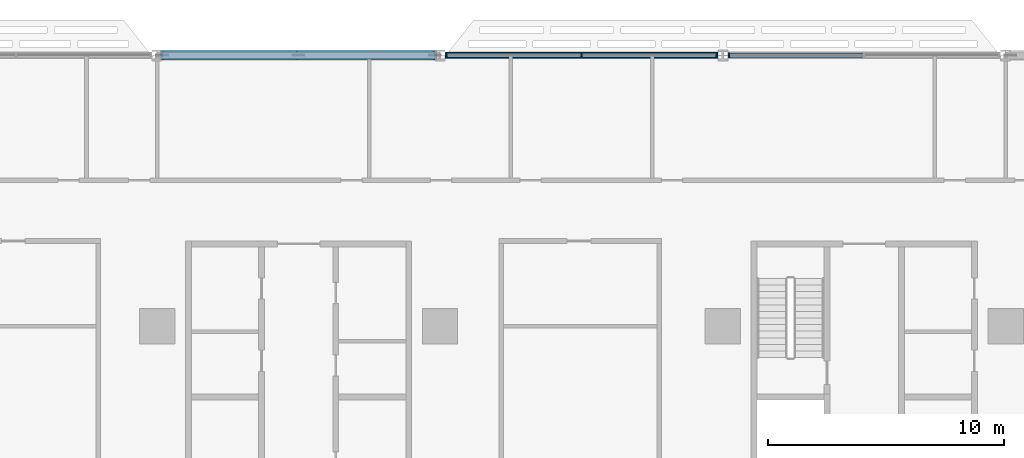
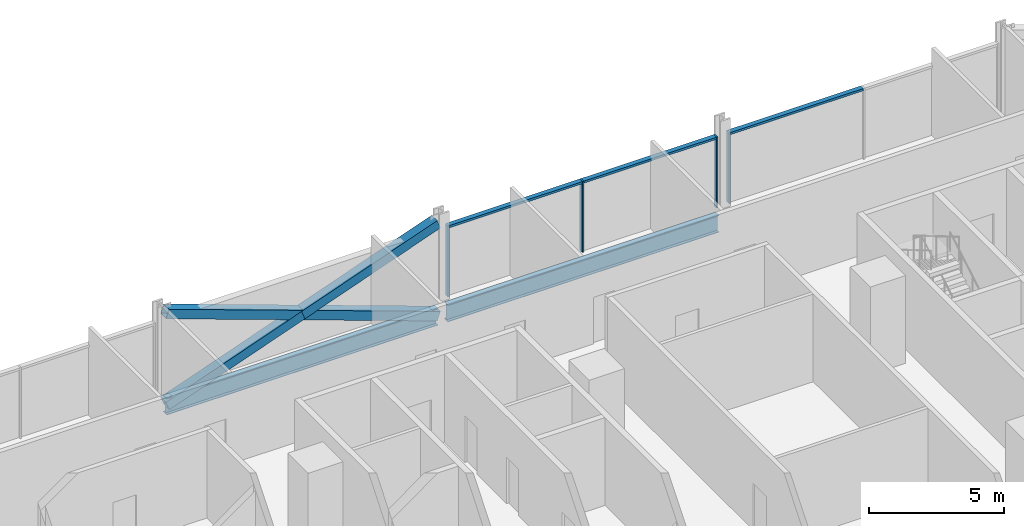
# One storey, part 7 of 29: 10 members, 2 beams, 2 elements without a shape of their own.
"""IFC4 building model written with IfcOpenShell, lengths in metres."""

from ifc_helpers import new_model, si_unit, direction, frame, origin, origin_2d, place, context, subcontext, project, spatial, rectangle, hollow_rectangle, i_section, extrude, material, material_profile, profile_set, type_object, element, aggregate, save


model = new_model("IFC4")

# Units and contexts
model_context = context("Model", 3, precision=1e-05, world=origin(), true_north=direction((0.0, 1.0)))
body_context = subcontext(model_context, "Body", "Model", "MODEL_VIEW")
ifc_project = project(units=[si_unit("LENGTHUNIT", "METRE"), si_unit("AREAUNIT", "SQUARE_METRE"), si_unit("VOLUMEUNIT", "CUBIC_METRE"), si_unit("PLANEANGLEUNIT", "RADIAN"), si_unit("MASSUNIT", "GRAM", prefix="KILO")], contexts=[model_context])

# Site, building, storey
site_placement = place(None, origin())
site = spatial("IfcSite", under=ifc_project, at=site_placement, CompositionType="ELEMENT")
building_placement = place(site_placement, origin())
building = spatial("IfcBuilding", under=site, at=building_placement, Name="Mahtab Terrace Research Tower", CompositionType="ELEMENT")
storey_placement = place(building_placement, frame((0.0, 0.0, 58.89990234375)))
storey = spatial("IfcBuildingStorey", under=building, at=storey_placement, Name="L13", CompositionType="ELEMENT", Elevation=58.89990234375)

# Members
ifc_material_1 = material(Name="Steel ASTM A500 Gr C", Category="steel")
ifc_material_profile_1 = material_profile(ifc_material_1, hollow_rectangle(XDim=0.406494140625, YDim=0.406494140625, WallThickness=0.01904296875, at=origin_2d()), Name="HSS16X16X3/4")
ifc_profile_set_1 = profile_set([ifc_material_profile_1], Name="Steel ASTM A500 Gr C")
member_type_1 = type_object("IfcMemberType", Name="HSS 16x16x3/4 brace XB161634", PredefinedType="BRACE", material=ifc_profile_set_1)
member_1_placement = place(storey_placement, frame((5.787841796875, 23.0, -0.642333984375), z_axis=(-0.941386519928, 0.0, 0.337329838731), x_axis=(0.0, -1.0, 0.0)))
element("IfcMember", 1, at=member_1_placement, inside=storey, type_object=member_type_1, Name="Exoskeleton brace L13 05 a", PredefinedType="BRACE", context=body_context, shape_type="SweptSolid", body=[
    extrude(hollow_rectangle(XDim=0.406494140625, YDim=0.406494140625, WallThickness=0.01904296875, at=origin_2d()), origin(), (0.0, 0.0, 1.0), 12.29638671875),
])
for number, where, z_axis, x_axis, name in (
    (2, (-5.787841796875, 23.0, -0.642333984375), (0.941386519928, 0.0, 0.337329838731), (0.0, 1.0, 0.0), "Exoskeleton brace L13 05 b1"),
    (3, (0.0, 23.0, 1.431640625), (0.941386519928, 0.0, 0.337329838731), (0.0, 1.0, 0.0), "Exoskeleton brace L13 05 b2"),
):
    element("IfcMember", number, at=place(storey_placement, frame(where, z_axis=z_axis, x_axis=x_axis)), inside=storey, type_object=member_type_1, Name=name, PredefinedType="BRACE", context=body_context, shape_type="SweptSolid", body=[
        extrude(hollow_rectangle(XDim=0.406494140625, YDim=0.406494140625, WallThickness=0.01904296875, at=origin_2d()), origin(), (0.0, 0.0, 1.0), 6.148193359375),
    ])

# Curtain wall, member
ifc_material_2 = material(Name="Laboratory ribbon curtain wall")
curtain_wall_type = type_object("IfcCurtainWallType", Name="Laboratory ribbon curtain wall", PredefinedType="NOTDEFINED", material=ifc_material_2)
curtain_wall_1_placement = place(storey_placement, origin())
curtain_wall_1 = element("IfcCurtainWall", 4, at=curtain_wall_1_placement, inside=storey, type_object=curtain_wall_type, Name="EN.L13.3.5", PredefinedType="NOTDEFINED")
ifc_material_3 = material(Name="Natural anodised aluminium", Category="aluminium")
ifc_material_profile_2 = material_profile(ifc_material_3, rectangle(XDim=0.199951171875, YDim=0.06494140625, at=origin_2d()), Name="MULLION 65x200")
ifc_profile_set_2 = profile_set([ifc_material_profile_2], Name="Natural anodised aluminium")
member_type_2 = type_object("IfcMemberType", Name="Laboratory ribbon curtain wall mullion", PredefinedType="MULLION", material=ifc_profile_set_2)
member_2_placement = place(storey_placement, frame((18.2705078125, 23.0, 0.0), z_axis=(0.0, 0.0, 1.0), x_axis=(0.0, -1.0, 0.0)))
member_2 = element("IfcMember", 5, at=member_2_placement, type_object=member_type_2, Name="CWL-2 mullion 3", PredefinedType="MULLION", context=body_context, shape_type="SweptSolid", body=[
    extrude(rectangle(XDim=0.199951171875, YDim=0.06494140625, at=origin_2d()), origin(), (0.0, 0.0, 1.0), 3.203125),
])

# Curtain wall, members
curtain_wall_2_placement = place(storey_placement, origin())
curtain_wall_2 = element("IfcCurtainWall", 6, at=curtain_wall_2_placement, inside=storey, type_object=curtain_wall_type, Name="EN.L13.3.6", PredefinedType="NOTDEFINED")
member_3_placement = place(storey_placement, frame((17.7294921875, 23.0, 0.0), z_axis=(0.0, 0.0, 1.0), x_axis=(0.0, -1.0, 0.0)))
member_3 = element("IfcMember", 7, at=member_3_placement, type_object=member_type_2, Name="CWL-2 mullion 1", PredefinedType="MULLION", context=body_context, shape_type="SweptSolid", body=[
    extrude(rectangle(XDim=0.199951171875, YDim=0.06494140625, at=origin_2d()), origin(), (0.0, 0.0, 1.0), 3.203125),
])
member_4_placement = place(storey_placement, frame((12.0, 23.0, 0.0), z_axis=(0.0, 0.0, 1.0), x_axis=(0.0, -1.0, 0.0)))
member_4 = element("IfcMember", 8, at=member_4_placement, type_object=member_type_2, Name="CWL-2 mullion 2", PredefinedType="MULLION", context=body_context, shape_type="SweptSolid", body=[
    extrude(rectangle(XDim=0.199951171875, YDim=0.06494140625, at=origin_2d()), origin(), (0.0, 0.0, 1.0), 3.203125),
])
member_5_placement = place(storey_placement, frame((6.2705078125, 23.0, 0.0), z_axis=(0.0, 0.0, 1.0), x_axis=(0.0, -1.0, 0.0)))
member_5 = element("IfcMember", 9, at=member_5_placement, type_object=member_type_2, Name="CWL-2 mullion 3", PredefinedType="MULLION", context=body_context, shape_type="SweptSolid", body=[
    extrude(rectangle(XDim=0.199951171875, YDim=0.06494140625, at=origin_2d()), origin(), (0.0, 0.0, 1.0), 3.203125),
])

# Member
ifc_material_profile_3 = material_profile(ifc_material_3, rectangle(XDim=0.199951171875, YDim=0.10009765625, at=origin_2d()), Name="TRANSOM 100x200")
ifc_profile_set_3 = profile_set([ifc_material_profile_3], Name="Natural anodised aluminium")
member_type_3 = type_object("IfcMemberType", Name="Laboratory ribbon curtain wall transom", PredefinedType="USERDEFINED", material=ifc_profile_set_3)
member_6_placement = place(storey_placement, frame((23.967529296875, 23.0, 3.153076171875), z_axis=(-1.0, 0.0, 0.0), x_axis=(0.0, -1.0, 0.0)))
member_6 = element("IfcMember", 10, at=member_6_placement, type_object=member_type_3, Name="CWL-2 transom 2", ObjectType="TRANSOM", PredefinedType="USERDEFINED", context=body_context, shape_type="SweptSolid", body=[
    extrude(rectangle(XDim=0.199951171875, YDim=0.10009765625, at=origin_2d()), origin(), (0.0, 0.0, 1.0), 5.66455078125),
])

aggregate(curtain_wall_1, [member_2, member_6])

member_7_placement = place(storey_placement, frame((17.697021484375, 23.0, 3.153076171875), z_axis=(-1.0, 0.0, 0.0), x_axis=(0.0, -1.0, 0.0)))
member_7 = element("IfcMember", 11, at=member_7_placement, type_object=member_type_3, Name="CWL-2 transom 1", ObjectType="TRANSOM", PredefinedType="USERDEFINED", context=body_context, shape_type="SweptSolid", body=[
    extrude(rectangle(XDim=0.199951171875, YDim=0.10009765625, at=origin_2d()), origin(), (0.0, 0.0, 1.0), 5.66455078125),
])

member_8_placement = place(storey_placement, frame((11.967529296875, 23.0, 3.153076171875), z_axis=(-1.0, 0.0, 0.0), x_axis=(0.0, -1.0, 0.0)))
member_8 = element("IfcMember", 12, at=member_8_placement, type_object=member_type_3, Name="CWL-2 transom 2", ObjectType="TRANSOM", PredefinedType="USERDEFINED", context=body_context, shape_type="SweptSolid", body=[
    extrude(rectangle(XDim=0.199951171875, YDim=0.10009765625, at=origin_2d()), origin(), (0.0, 0.0, 1.0), 5.66455078125),
])

aggregate(curtain_wall_2, [member_3, member_4, member_5, member_7, member_8])

# Beams
ifc_material_4 = material(Name="Steel ASTM A992 Gr 50", Category="steel")
ifc_material_profile_4 = material_profile(ifc_material_4, i_section(OverallWidth=0.2666015625, OverallDepth=0.7568359375, WebThickness=0.013916015625, FlangeThickness=0.019287109375, at=origin_2d()), Name="W30X108")
ifc_profile_set_4 = profile_set([ifc_material_profile_4], Name="Steel ASTM A992 Gr 50")
beam_type = type_object("IfcBeamType", Name="W30x108 beam BS30108", PredefinedType="BEAM", material=ifc_profile_set_4)
for number, where, z_axis, x_axis, name in (
    (13, (17.787841796875, 23.0, -0.71826171875), (-1.0, 0.0, 0.0), (0.0, -1.0, 0.0), "Spandrel beam L13 04"),
    (14, (5.787841796875, 23.0, -0.71826171875), (-1.0, 0.0, 0.0), (0.0, -1.0, 0.0), "Spandrel beam L13 05"),
):
    element("IfcBeam", number, at=place(storey_placement, frame(where, z_axis=z_axis, x_axis=x_axis)), inside=storey, type_object=beam_type, Name=name, PredefinedType="BEAM", context=body_context, shape_type="SweptSolid", body=[
        extrude(i_section(OverallWidth=0.2666015625, OverallDepth=0.7568359375, WebThickness=0.013916015625, FlangeThickness=0.019287109375, at=origin_2d()), origin(), (0.0, 0.0, 1.0), 11.57568359375),
    ])

save(model, "model.ifc")
